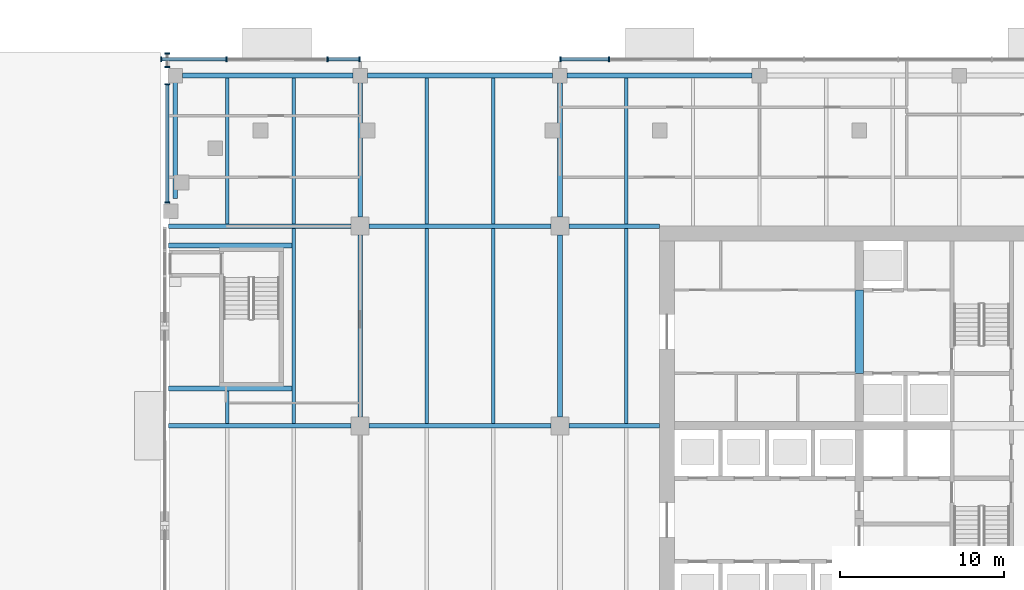
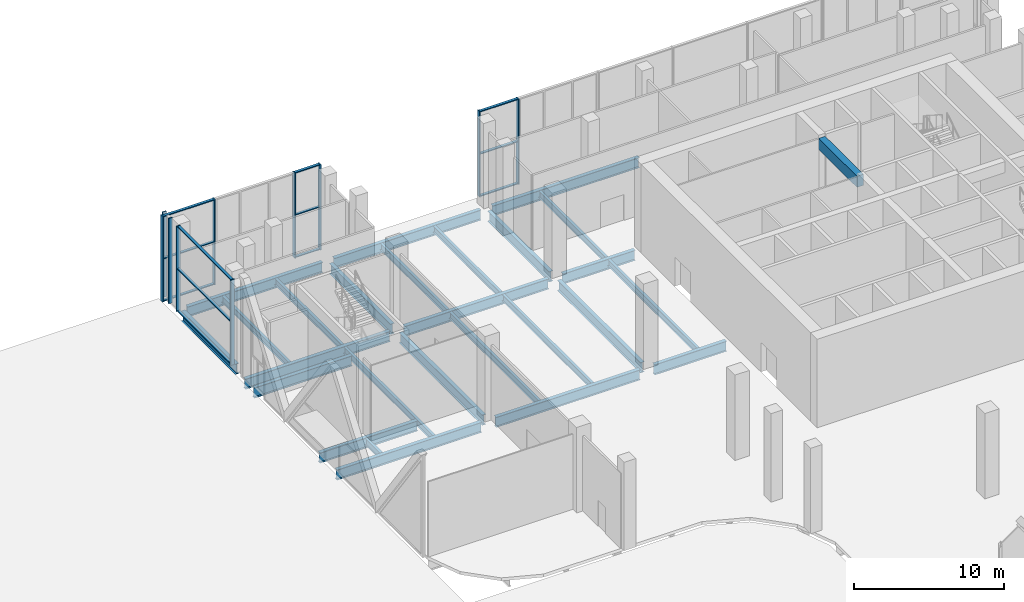
# One storey, part 3 of 36: 27 beams, 22 members, 5 elements without a shape of their own.
"""IFC4 building model written with IfcOpenShell, lengths in metres."""

from ifc_helpers import new_model, si_unit, direction, frame, origin, origin_2d, place, context, subcontext, project, spatial, rectangle, i_section, extrude, material, material_profile, profile_set, type_object, element, aggregate, save


model = new_model("IFC4")

# Units and contexts
model_context = context("Model", 3, precision=1e-05, world=origin(), true_north=direction((0.0, 1.0)))
body_context = subcontext(model_context, "Body", "Model", "MODEL_VIEW")
ifc_project = project(units=[si_unit("LENGTHUNIT", "METRE"), si_unit("AREAUNIT", "SQUARE_METRE"), si_unit("VOLUMEUNIT", "CUBIC_METRE"), si_unit("PLANEANGLEUNIT", "RADIAN"), si_unit("MASSUNIT", "GRAM", prefix="KILO")], contexts=[model_context])

# Site, building, storey
site_placement = place(None, origin())
site = spatial("IfcSite", under=ifc_project, at=site_placement, CompositionType="ELEMENT")
building_placement = place(site_placement, origin())
building = spatial("IfcBuilding", under=site, at=building_placement, Name="Tessera Gate Towers", CompositionType="ELEMENT")
storey_placement = place(building_placement, origin())
storey = spatial("IfcBuildingStorey", under=building, at=storey_placement, Name="L00", CompositionType="ELEMENT", Elevation=0.0)

# Beams
ifc_material_1 = material(Name="Concrete C70/85", Category="concrete")
ifc_material_profile_1 = material_profile(ifc_material_1, rectangle(XDim=0.5, YDim=0.89990234375, at=origin_2d()), Name="RC 500x900")
ifc_profile_set_1 = profile_set([ifc_material_profile_1], Name="Concrete C70/85")
beam_type_1 = type_object("IfcBeamType", Name="COUPLING BEAM 500x900 C70/85", PredefinedType="BEAM", material=ifc_profile_set_1)
beam_1_placement = place(storey_placement, frame((42.699951171875, 39.800048828125, 6.5), z_axis=(0.0, 1.0, 0.0), x_axis=(-1.0, 0.0, 0.0)))
element("IfcBeam", 1, at=beam_1_placement, inside=storey, type_object=beam_type_1, Name="L00 coupling beam 2", PredefinedType="BEAM", context=body_context, shape_type="SweptSolid", body=[
    extrude(rectangle(XDim=0.5, YDim=0.89990234375, at=origin_2d()), origin(), (0.0, 0.0, 1.0), 5.099853515625),
])
ifc_material_2 = material(Name="Steel 350W", Category="steel")
ifc_material_profile_2 = material_profile(ifc_material_2, i_section(OverallWidth=0.2919921875, OverallDepth=0.8349609375, WebThickness=0.013916015625, FlangeThickness=0.018798828125, at=origin_2d()), Name="W840x176")
ifc_profile_set_2 = profile_set([ifc_material_profile_2], Name="Steel 350W")
beam_type_2 = type_object("IfcBeamType", Name="FLOOR GIRDER W840x176", PredefinedType="BEAM", material=ifc_profile_set_2)
beam_2_placement = place(storey_placement, frame((0.89990234375, 50.5, -0.66748046875), z_axis=(0.0, 1.0, 0.0), x_axis=(-1.0, 0.0, 0.0)))
element("IfcBeam", 2, at=beam_2_placement, inside=storey, type_object=beam_type_2, Name="PD-GD-L00-10", PredefinedType="BEAM", context=body_context, shape_type="SweptSolid", body=[
    extrude(i_section(OverallWidth=0.2919921875, OverallDepth=0.8349609375, WebThickness=0.013916015625, FlangeThickness=0.018798828125, at=origin_2d()), origin(), (0.0, 0.0, 1.0), 7.199951171875),
])
beam_3_placement = place(storey_placement, frame((0.4990234375, 36.60009765625, -0.66748046875), z_axis=(1.0, 0.0, 0.0), x_axis=(0.0, 1.0, 0.0)))
element("IfcBeam", 3, at=beam_3_placement, inside=storey, type_object=beam_type_2, Name="PD-GD-L00-23", PredefinedType="BEAM", context=body_context, shape_type="SweptSolid", body=[
    extrude(i_section(OverallWidth=0.2919921875, OverallDepth=0.8349609375, WebThickness=0.013916015625, FlangeThickness=0.018798828125, at=origin_2d()), origin(), (0.0, 0.0, 1.0), 11.15087890625),
])
beam_4_placement = place(storey_placement, frame((12.75, 36.60009765625, -0.66748046875), z_axis=(1.0, 0.0, 0.0), x_axis=(0.0, 1.0, 0.0)))
element("IfcBeam", 4, at=beam_4_placement, inside=storey, type_object=beam_type_2, Name="PD-GD-L00-24", PredefinedType="BEAM", context=body_context, shape_type="SweptSolid", body=[
    extrude(i_section(OverallWidth=0.2919921875, OverallDepth=0.8349609375, WebThickness=0.013916015625, FlangeThickness=0.018798828125, at=origin_2d()), origin(), (0.0, 0.0, 1.0), 11.10009765625),
])
beam_5_placement = place(storey_placement, frame((24.949951171875, 36.60009765625, -0.66748046875), z_axis=(1.0, 0.0, 0.0), x_axis=(0.0, 1.0, 0.0)))
element("IfcBeam", 5, at=beam_5_placement, inside=storey, type_object=beam_type_2, Name="PD-GD-L00-25", PredefinedType="BEAM", context=body_context, shape_type="SweptSolid", body=[
    extrude(i_section(OverallWidth=0.2919921875, OverallDepth=0.8349609375, WebThickness=0.013916015625, FlangeThickness=0.018798828125, at=origin_2d()), origin(), (0.0, 0.0, 1.0), 5.551025390625),
])
beam_6_placement = place(storey_placement, frame((0.4990234375, 48.800048828125, -0.66748046875), z_axis=(1.0, 0.0, 0.0), x_axis=(0.0, 1.0, 0.0)))
element("IfcBeam", 6, at=beam_6_placement, inside=storey, type_object=beam_type_2, Name="PD-GD-L00-32", PredefinedType="BEAM", context=body_context, shape_type="SweptSolid", body=[
    extrude(i_section(OverallWidth=0.2919921875, OverallDepth=0.8349609375, WebThickness=0.013916015625, FlangeThickness=0.018798828125, at=origin_2d()), origin(), (0.0, 0.0, 1.0), 11.15087890625),
])
beam_7_placement = place(storey_placement, frame((12.75, 48.800048828125, -0.66748046875), z_axis=(1.0, 0.0, 0.0), x_axis=(0.0, 1.0, 0.0)))
element("IfcBeam", 7, at=beam_7_placement, inside=storey, type_object=beam_type_2, Name="PD-GD-L00-33", PredefinedType="BEAM", context=body_context, shape_type="SweptSolid", body=[
    extrude(i_section(OverallWidth=0.2919921875, OverallDepth=0.8349609375, WebThickness=0.013916015625, FlangeThickness=0.018798828125, at=origin_2d()), origin(), (0.0, 0.0, 1.0), 11.10009765625),
])
beam_8_placement = place(storey_placement, frame((24.949951171875, 48.800048828125, -0.66748046875), z_axis=(1.0, 0.0, 0.0), x_axis=(0.0, 1.0, 0.0)))
element("IfcBeam", 8, at=beam_8_placement, inside=storey, type_object=beam_type_2, Name="PD-GD-L00-34", PredefinedType="BEAM", context=body_context, shape_type="SweptSolid", body=[
    extrude(i_section(OverallWidth=0.2919921875, OverallDepth=0.8349609375, WebThickness=0.013916015625, FlangeThickness=0.018798828125, at=origin_2d()), origin(), (0.0, 0.0, 1.0), 5.549072265625),
])
beam_9_placement = place(storey_placement, frame((1.35009765625, 58.0, -0.66748046875), z_axis=(1.0, 0.0, 0.0), x_axis=(0.0, 1.0, 0.0)))
element("IfcBeam", 9, at=beam_9_placement, inside=storey, type_object=beam_type_2, Name="PD-GD-L00-40", PredefinedType="BEAM", context=body_context, shape_type="SweptSolid", body=[
    extrude(i_section(OverallWidth=0.2919921875, OverallDepth=0.8349609375, WebThickness=0.013916015625, FlangeThickness=0.018798828125, at=origin_2d()), origin(), (0.0, 0.0, 1.0), 10.39990234375),
])
beam_10_placement = place(storey_placement, frame((12.64990234375, 58.0, -0.66748046875), z_axis=(1.0, 0.0, 0.0), x_axis=(0.0, 1.0, 0.0)))
element("IfcBeam", 10, at=beam_10_placement, inside=storey, type_object=beam_type_2, Name="PD-GD-L00-41", PredefinedType="BEAM", context=body_context, shape_type="SweptSolid", body=[
    extrude(i_section(OverallWidth=0.2919921875, OverallDepth=0.8349609375, WebThickness=0.013916015625, FlangeThickness=0.018798828125, at=origin_2d()), origin(), (0.0, 0.0, 1.0), 11.300048828125),
])
beam_11_placement = place(storey_placement, frame((24.85009765625, 58.0, -0.66748046875), z_axis=(1.0, 0.0, 0.0), x_axis=(0.0, 1.0, 0.0)))
element("IfcBeam", 11, at=beam_11_placement, inside=storey, type_object=beam_type_2, Name="PD-GD-L00-42", PredefinedType="BEAM", context=body_context, shape_type="SweptSolid", body=[
    extrude(i_section(OverallWidth=0.2919921875, OverallDepth=0.8349609375, WebThickness=0.013916015625, FlangeThickness=0.018798828125, at=origin_2d()), origin(), (0.0, 0.0, 1.0), 11.2998046875),
])
beam_12_placement = place(storey_placement, frame((12.199951171875, 37.14990234375, -0.66748046875), z_axis=(0.0, 1.0, 0.0), x_axis=(-1.0, 0.0, 0.0)))
element("IfcBeam", 12, at=beam_12_placement, inside=storey, type_object=beam_type_2, Name="PD-GD-L00-51", PredefinedType="BEAM", context=body_context, shape_type="SweptSolid", body=[
    extrude(i_section(OverallWidth=0.2919921875, OverallDepth=0.8349609375, WebThickness=0.013916015625, FlangeThickness=0.018798828125, at=origin_2d()), origin(), (0.0, 0.0, 1.0), 11.10009765625),
])
beam_13_placement = place(storey_placement, frame((12.199951171875, 49.35009765625, -0.66748046875), z_axis=(0.0, 1.0, 0.0), x_axis=(-1.0, 0.0, 0.0)))
element("IfcBeam", 13, at=beam_13_placement, inside=storey, type_object=beam_type_2, Name="PD-GD-L00-52", PredefinedType="BEAM", context=body_context, shape_type="SweptSolid", body=[
    extrude(i_section(OverallWidth=0.2919921875, OverallDepth=0.8349609375, WebThickness=0.013916015625, FlangeThickness=0.018798828125, at=origin_2d()), origin(), (0.0, 0.0, 1.0), 8.199951171875),
])
beam_14_placement = place(storey_placement, frame((24.39990234375, 37.14990234375, -0.66748046875), z_axis=(0.0, 1.0, 0.0), x_axis=(-1.0, 0.0, 0.0)))
element("IfcBeam", 14, at=beam_14_placement, inside=storey, type_object=beam_type_2, Name="PD-GD-L00-55", PredefinedType="BEAM", context=body_context, shape_type="SweptSolid", body=[
    extrude(i_section(OverallWidth=0.2919921875, OverallDepth=0.8349609375, WebThickness=0.013916015625, FlangeThickness=0.018798828125, at=origin_2d()), origin(), (0.0, 0.0, 1.0), 11.10009765625),
])
beam_15_placement = place(storey_placement, frame((24.39990234375, 49.35009765625, -0.66748046875), z_axis=(0.0, 1.0, 0.0), x_axis=(-1.0, 0.0, 0.0)))
element("IfcBeam", 15, at=beam_15_placement, inside=storey, type_object=beam_type_2, Name="PD-GD-L00-56", PredefinedType="BEAM", context=body_context, shape_type="SweptSolid", body=[
    extrude(i_section(OverallWidth=0.2919921875, OverallDepth=0.8349609375, WebThickness=0.013916015625, FlangeThickness=0.018798828125, at=origin_2d()), origin(), (0.0, 0.0, 1.0), 8.199951171875),
])
for number, where, z_axis, x_axis, name in (
    (16, (0.4990234375, 38.8798828125, -0.66748046875), (1.0, 0.0, 0.0), (0.0, 1.0, 0.0), "PD-GD-L00-75"),
    (17, (0.4990234375, 47.6201171875, -0.66748046875), (1.0, 0.0, 0.0), (0.0, 1.0, 0.0), "PD-GD-L00-76"),
):
    element("IfcBeam", number, at=place(storey_placement, frame(where, z_axis=z_axis, x_axis=x_axis)), inside=storey, type_object=beam_type_2, Name=name, PredefinedType="BEAM", context=body_context, shape_type="SweptSolid", body=[
        extrude(i_section(OverallWidth=0.2919921875, OverallDepth=0.8349609375, WebThickness=0.013916015625, FlangeThickness=0.018798828125, at=origin_2d()), origin(), (0.0, 0.0, 1.0), 7.52978515625),
    ])
ifc_material_3 = material(Name="Steel 350W", Category="steel")
ifc_material_profile_3 = material_profile(ifc_material_3, i_section(OverallWidth=0.208984375, OverallDepth=0.528076171875, WebThickness=0.009521484375, FlangeThickness=0.01318359375, at=origin_2d()), Name="W530x82")
ifc_profile_set_3 = profile_set([ifc_material_profile_3], Name="Steel 350W")
beam_type_3 = type_object("IfcBeamType", Name="FLOOR SECONDARY W530x82", PredefinedType="BEAM", material=ifc_profile_set_3)
beam_16_placement = place(storey_placement, frame((4.066650390625, 36.74609375, -0.513916015625), z_axis=(0.0, 1.0, 0.0), x_axis=(-1.0, 0.0, 0.0)))
element("IfcBeam", 18, at=beam_16_placement, inside=storey, type_object=beam_type_3, Name="PD-BM-L00-87", PredefinedType="BEAM", context=body_context, shape_type="SweptSolid", body=[
    extrude(i_section(OverallWidth=0.208984375, OverallDepth=0.528076171875, WebThickness=0.009521484375, FlangeThickness=0.01318359375, at=origin_2d()), origin(), (0.0, 0.0, 1.0), 1.98779296875),
])
beam_17_placement = place(storey_placement, frame((4.066650390625, 48.946044921875, -0.513916015625), z_axis=(0.0, 1.0, 0.0), x_axis=(-1.0, 0.0, 0.0)))
element("IfcBeam", 19, at=beam_17_placement, inside=storey, type_object=beam_type_3, Name="PD-BM-L00-88", PredefinedType="BEAM", context=body_context, shape_type="SweptSolid", body=[
    extrude(i_section(OverallWidth=0.208984375, OverallDepth=0.528076171875, WebThickness=0.009521484375, FlangeThickness=0.01318359375, at=origin_2d()), origin(), (0.0, 0.0, 1.0), 8.907958984375),
])
beam_18_placement = place(storey_placement, frame((8.13330078125, 36.74609375, -0.513916015625), z_axis=(0.0, 1.0, 0.0), x_axis=(-1.0, 0.0, 0.0)))
element("IfcBeam", 20, at=beam_18_placement, inside=storey, type_object=beam_type_3, Name="PD-BM-L00-91", PredefinedType="BEAM", context=body_context, shape_type="SweptSolid", body=[
    extrude(i_section(OverallWidth=0.208984375, OverallDepth=0.528076171875, WebThickness=0.009521484375, FlangeThickness=0.01318359375, at=origin_2d()), origin(), (0.0, 0.0, 1.0), 11.907958984375),
])
beam_19_placement = place(storey_placement, frame((8.13330078125, 48.946044921875, -0.513916015625), z_axis=(0.0, 1.0, 0.0), x_axis=(-1.0, 0.0, 0.0)))
element("IfcBeam", 21, at=beam_19_placement, inside=storey, type_object=beam_type_3, Name="PD-BM-L00-92", PredefinedType="BEAM", context=body_context, shape_type="SweptSolid", body=[
    extrude(i_section(OverallWidth=0.208984375, OverallDepth=0.528076171875, WebThickness=0.009521484375, FlangeThickness=0.01318359375, at=origin_2d()), origin(), (0.0, 0.0, 1.0), 8.907958984375),
])
beam_20_placement = place(storey_placement, frame((16.2666015625, 36.74609375, -0.513916015625), z_axis=(0.0, 1.0, 0.0), x_axis=(-1.0, 0.0, 0.0)))
element("IfcBeam", 22, at=beam_20_placement, inside=storey, type_object=beam_type_3, Name="PD-BM-L00-95", PredefinedType="BEAM", context=body_context, shape_type="SweptSolid", body=[
    extrude(i_section(OverallWidth=0.208984375, OverallDepth=0.528076171875, WebThickness=0.009521484375, FlangeThickness=0.01318359375, at=origin_2d()), origin(), (0.0, 0.0, 1.0), 11.907958984375),
])
beam_21_placement = place(storey_placement, frame((16.2666015625, 48.946044921875, -0.513916015625), z_axis=(0.0, 1.0, 0.0), x_axis=(-1.0, 0.0, 0.0)))
element("IfcBeam", 23, at=beam_21_placement, inside=storey, type_object=beam_type_3, Name="PD-BM-L00-96", PredefinedType="BEAM", context=body_context, shape_type="SweptSolid", body=[
    extrude(i_section(OverallWidth=0.208984375, OverallDepth=0.528076171875, WebThickness=0.009521484375, FlangeThickness=0.01318359375, at=origin_2d()), origin(), (0.0, 0.0, 1.0), 8.907958984375),
])
beam_22_placement = place(storey_placement, frame((20.333251953125, 36.74609375, -0.513916015625), z_axis=(0.0, 1.0, 0.0), x_axis=(-1.0, 0.0, 0.0)))
element("IfcBeam", 24, at=beam_22_placement, inside=storey, type_object=beam_type_3, Name="PD-BM-L00-99", PredefinedType="BEAM", context=body_context, shape_type="SweptSolid", body=[
    extrude(i_section(OverallWidth=0.208984375, OverallDepth=0.528076171875, WebThickness=0.009521484375, FlangeThickness=0.01318359375, at=origin_2d()), origin(), (0.0, 0.0, 1.0), 11.907958984375),
])
beam_23_placement = place(storey_placement, frame((20.333251953125, 48.946044921875, -0.513916015625), z_axis=(0.0, 1.0, 0.0), x_axis=(-1.0, 0.0, 0.0)))
element("IfcBeam", 25, at=beam_23_placement, inside=storey, type_object=beam_type_3, Name="PD-BM-L00-100", PredefinedType="BEAM", context=body_context, shape_type="SweptSolid", body=[
    extrude(i_section(OverallWidth=0.208984375, OverallDepth=0.528076171875, WebThickness=0.009521484375, FlangeThickness=0.01318359375, at=origin_2d()), origin(), (0.0, 0.0, 1.0), 8.907958984375),
])
beam_24_placement = place(storey_placement, frame((28.466796875, 36.74609375, -0.513916015625), z_axis=(0.0, 1.0, 0.0), x_axis=(-1.0, 0.0, 0.0)))
element("IfcBeam", 26, at=beam_24_placement, inside=storey, type_object=beam_type_3, Name="PD-BM-L00-104", PredefinedType="BEAM", context=body_context, shape_type="SweptSolid", body=[
    extrude(i_section(OverallWidth=0.208984375, OverallDepth=0.528076171875, WebThickness=0.009521484375, FlangeThickness=0.01318359375, at=origin_2d()), origin(), (0.0, 0.0, 1.0), 11.907958984375),
])
beam_25_placement = place(storey_placement, frame((28.466796875, 48.946044921875, -0.513916015625), z_axis=(0.0, 1.0, 0.0), x_axis=(-1.0, 0.0, 0.0)))
element("IfcBeam", 27, at=beam_25_placement, inside=storey, type_object=beam_type_3, Name="PD-BM-L00-105", PredefinedType="BEAM", context=body_context, shape_type="SweptSolid", body=[
    extrude(i_section(OverallWidth=0.208984375, OverallDepth=0.528076171875, WebThickness=0.009521484375, FlangeThickness=0.01318359375, at=origin_2d()), origin(), (0.0, 0.0, 1.0), 8.907958984375),
])

# Curtain wall, members
ifc_material_4 = material(Name="Aluminium frame", Category="aluminium")
curtain_wall_type = type_object("IfcCurtainWallType", Name="CW-S6 ground floor glazing", PredefinedType="NOTDEFINED", material=ifc_material_4)
curtain_wall_1_placement = place(storey_placement, origin())
curtain_wall_1 = element("IfcCurtainWall", 28, at=curtain_wall_1_placement, inside=storey, type_object=curtain_wall_type, Name="Curtain wall ground floor glazing 0206", PredefinedType="NOTDEFINED")
ifc_material_5 = material(Name="Aluminium frame", Category="aluminium")
ifc_material_profile_4 = material_profile(ifc_material_5, rectangle(XDim=0.080078125, YDim=0.300048828125, at=origin_2d()), Name="AL 80x300")
ifc_profile_set_4 = profile_set([ifc_material_profile_4], Name="Aluminium frame")
member_type_1 = type_object("IfcMemberType", Name="MU-S6 mullion 80x300", PredefinedType="MULLION", material=ifc_profile_set_4)
member_1_placement = place(storey_placement, frame((27.409912109375, 59.0, 0.0), z_axis=(0.0, 0.0, 1.0), x_axis=(-1.0, 0.0, 0.0)))
member_1 = element("IfcMember", 29, at=member_1_placement, type_object=member_type_1, Name="PD-CW6-0206 mullion 1", PredefinedType="MULLION", context=body_context, shape_type="SweptSolid", body=[
    extrude(rectangle(XDim=0.080078125, YDim=0.300048828125, at=origin_2d()), origin(), (0.0, 0.0, 1.0), 6.949951171875),
])
member_2_placement = place(storey_placement, frame((24.43994140625, 59.0, 0.0), z_axis=(0.0, 0.0, 1.0), x_axis=(-1.0, 0.0, 0.0)))
member_2 = element("IfcMember", 30, at=member_2_placement, type_object=member_type_1, Name="PD-CW6-0206 mullion 2", PredefinedType="MULLION", context=body_context, shape_type="SweptSolid", body=[
    extrude(rectangle(XDim=0.080078125, YDim=0.300048828125, at=origin_2d()), origin(), (0.0, 0.0, 1.0), 6.949951171875),
])

curtain_wall_2_placement = place(storey_placement, origin())
curtain_wall_2 = element("IfcCurtainWall", 31, at=curtain_wall_2_placement, inside=storey, type_object=curtain_wall_type, Name="Curtain wall ground floor glazing 0207", PredefinedType="NOTDEFINED")
member_3_placement = place(storey_placement, frame((12.159912109375, 59.0, 0.0), z_axis=(0.0, 0.0, 1.0), x_axis=(-1.0, 0.0, 0.0)))
member_3 = element("IfcMember", 32, at=member_3_placement, type_object=member_type_1, Name="PD-CW6-0207 mullion 1", PredefinedType="MULLION", context=body_context, shape_type="SweptSolid", body=[
    extrude(rectangle(XDim=0.080078125, YDim=0.300048828125, at=origin_2d()), origin(), (0.0, 0.0, 1.0), 6.949951171875),
])
member_4_placement = place(storey_placement, frame((10.206787109375, 59.0, 0.0), z_axis=(0.0, 0.0, 1.0), x_axis=(-1.0, 0.0, 0.0)))
member_4 = element("IfcMember", 33, at=member_4_placement, type_object=member_type_1, Name="PD-CW6-0207 mullion 2", PredefinedType="MULLION", context=body_context, shape_type="SweptSolid", body=[
    extrude(rectangle(XDim=0.080078125, YDim=0.300048828125, at=origin_2d()), origin(), (0.0, 0.0, 1.0), 6.949951171875),
])

curtain_wall_3_placement = place(storey_placement, origin())
curtain_wall_3 = element("IfcCurtainWall", 34, at=curtain_wall_3_placement, inside=storey, type_object=curtain_wall_type, Name="Curtain wall ground floor glazing 0208", PredefinedType="NOTDEFINED")
member_5_placement = place(storey_placement, frame((4.026611328125, 59.0, 0.0), z_axis=(0.0, 0.0, 1.0), x_axis=(-1.0, 0.0, 0.0)))
member_5 = element("IfcMember", 35, at=member_5_placement, type_object=member_type_1, Name="PD-CW6-0208 mullion 1", PredefinedType="MULLION", context=body_context, shape_type="SweptSolid", body=[
    extrude(rectangle(XDim=0.080078125, YDim=0.300048828125, at=origin_2d()), origin(), (0.0, 0.0, 1.0), 6.949951171875),
])
member_6_placement = place(storey_placement, frame((0.0400390625, 59.0, 0.0), z_axis=(0.0, 0.0, 1.0), x_axis=(-1.0, 0.0, 0.0)))
member_6 = element("IfcMember", 36, at=member_6_placement, type_object=member_type_1, Name="PD-CW6-0208 mullion 2", PredefinedType="MULLION", context=body_context, shape_type="SweptSolid", body=[
    extrude(rectangle(XDim=0.080078125, YDim=0.300048828125, at=origin_2d()), origin(), (0.0, 0.0, 1.0), 6.949951171875),
])

curtain_wall_4_placement = place(storey_placement, origin())
curtain_wall_4 = element("IfcCurtainWall", 37, at=curtain_wall_4_placement, inside=storey, type_object=curtain_wall_type, Name="Curtain wall ground floor glazing 0212", PredefinedType="NOTDEFINED")
member_7_placement = place(storey_placement, frame((0.39990234375, 59.360107421875, 0.0), z_axis=(0.0, 0.0, 1.0), x_axis=(0.0, -1.0, 0.0)))
member_7 = element("IfcMember", 38, at=member_7_placement, type_object=member_type_1, Name="PD-CW6-0212 mullion 1", PredefinedType="MULLION", context=body_context, shape_type="SweptSolid", body=[
    extrude(rectangle(XDim=0.080078125, YDim=0.300048828125, at=origin_2d()), origin(), (0.0, 0.0, 1.0), 6.949951171875),
])
member_8_placement = place(storey_placement, frame((0.39990234375, 58.530029296875, 0.0), z_axis=(0.0, 0.0, 1.0), x_axis=(0.0, -1.0, 0.0)))
member_8 = element("IfcMember", 39, at=member_8_placement, type_object=member_type_1, Name="PD-CW6-0212 mullion 2", PredefinedType="MULLION", context=body_context, shape_type="SweptSolid", body=[
    extrude(rectangle(XDim=0.080078125, YDim=0.300048828125, at=origin_2d()), origin(), (0.0, 0.0, 1.0), 6.949951171875),
])
aggregate(curtain_wall_4, [member_7, member_8])

curtain_wall_5_placement = place(storey_placement, origin())
curtain_wall_5 = element("IfcCurtainWall", 40, at=curtain_wall_5_placement, inside=storey, type_object=curtain_wall_type, Name="Curtain wall ground floor glazing 0213", PredefinedType="NOTDEFINED")
member_9_placement = place(storey_placement, frame((0.39990234375, 57.469970703125, 0.0), z_axis=(0.0, 0.0, 1.0), x_axis=(0.0, -1.0, 0.0)))
member_9 = element("IfcMember", 41, at=member_9_placement, type_object=member_type_1, Name="PD-CW6-0213 mullion 1", PredefinedType="MULLION", context=body_context, shape_type="SweptSolid", body=[
    extrude(rectangle(XDim=0.080078125, YDim=0.300048828125, at=origin_2d()), origin(), (0.0, 0.0, 1.0), 6.949951171875),
])
member_10_placement = place(storey_placement, frame((0.39990234375, 50.25, 0.0), z_axis=(0.0, 0.0, 1.0), x_axis=(0.0, -1.0, 0.0)))
member_10 = element("IfcMember", 42, at=member_10_placement, type_object=member_type_1, Name="PD-CW6-0213 mullion 2", PredefinedType="MULLION", context=body_context, shape_type="SweptSolid", body=[
    extrude(rectangle(XDim=0.080078125, YDim=0.300048828125, at=origin_2d()), origin(), (0.0, 0.0, 1.0), 6.949951171875),
])

# Member
ifc_material_6 = material(Name="Aluminium frame", Category="aluminium")
ifc_material_profile_5 = material_profile(ifc_material_6, rectangle(XDim=0.199951171875, YDim=0.080078125, at=origin_2d()), Name="AL 80x200")
ifc_profile_set_5 = profile_set([ifc_material_profile_5], Name="Aluminium frame")
member_type_2 = type_object("IfcMemberType", Name="TR-S6 transom 80x200", PredefinedType="USERDEFINED", material=ifc_profile_set_5)
member_11_placement = place(storey_placement, frame((27.3701171875, 59.0, 0.0400390625), z_axis=(-1.0, 0.0, 0.0), x_axis=(0.0, -1.0, 0.0)))
member_11 = element("IfcMember", 43, at=member_11_placement, type_object=member_type_2, Name="PD-CW6-0206 transom 1.1", ObjectType="TRANSOM", PredefinedType="USERDEFINED", context=body_context, shape_type="SweptSolid", body=[
    extrude(rectangle(XDim=0.199951171875, YDim=0.080078125, at=origin_2d()), origin(), (0.0, 0.0, 1.0), 2.89013671875),
])

member_12_placement = place(storey_placement, frame((27.3701171875, 59.0, 3.47509765625), z_axis=(-1.0, 0.0, 0.0), x_axis=(0.0, -1.0, 0.0)))
member_12 = element("IfcMember", 44, at=member_12_placement, type_object=member_type_2, Name="PD-CW6-0206 transom 1.2", ObjectType="TRANSOM", PredefinedType="USERDEFINED", context=body_context, shape_type="SweptSolid", body=[
    extrude(rectangle(XDim=0.199951171875, YDim=0.080078125, at=origin_2d()), origin(), (0.0, 0.0, 1.0), 2.89013671875),
])

member_13_placement = place(storey_placement, frame((27.3701171875, 59.0, 6.909912109375), z_axis=(-1.0, 0.0, 0.0), x_axis=(0.0, -1.0, 0.0)))
member_13 = element("IfcMember", 45, at=member_13_placement, type_object=member_type_2, Name="PD-CW6-0206 transom 1.3", ObjectType="TRANSOM", PredefinedType="USERDEFINED", context=body_context, shape_type="SweptSolid", body=[
    extrude(rectangle(XDim=0.199951171875, YDim=0.080078125, at=origin_2d()), origin(), (0.0, 0.0, 1.0), 2.89013671875),
])

aggregate(curtain_wall_1, [member_1, member_2, member_11, member_12, member_13])

member_14_placement = place(storey_placement, frame((12.1201171875, 59.0, 0.0400390625), z_axis=(-1.0, 0.0, 0.0), x_axis=(0.0, -1.0, 0.0)))
member_14 = element("IfcMember", 46, at=member_14_placement, type_object=member_type_2, Name="PD-CW6-0207 transom 1.1", ObjectType="TRANSOM", PredefinedType="USERDEFINED", context=body_context, shape_type="SweptSolid", body=[
    extrude(rectangle(XDim=0.199951171875, YDim=0.080078125, at=origin_2d()), origin(), (0.0, 0.0, 1.0), 1.87353515625),
])

member_15_placement = place(storey_placement, frame((12.1201171875, 59.0, 3.47509765625), z_axis=(-1.0, 0.0, 0.0), x_axis=(0.0, -1.0, 0.0)))
member_15 = element("IfcMember", 47, at=member_15_placement, type_object=member_type_2, Name="PD-CW6-0207 transom 1.2", ObjectType="TRANSOM", PredefinedType="USERDEFINED", context=body_context, shape_type="SweptSolid", body=[
    extrude(rectangle(XDim=0.199951171875, YDim=0.080078125, at=origin_2d()), origin(), (0.0, 0.0, 1.0), 1.87353515625),
])

member_16_placement = place(storey_placement, frame((12.1201171875, 59.0, 6.909912109375), z_axis=(-1.0, 0.0, 0.0), x_axis=(0.0, -1.0, 0.0)))
member_16 = element("IfcMember", 48, at=member_16_placement, type_object=member_type_2, Name="PD-CW6-0207 transom 1.3", ObjectType="TRANSOM", PredefinedType="USERDEFINED", context=body_context, shape_type="SweptSolid", body=[
    extrude(rectangle(XDim=0.199951171875, YDim=0.080078125, at=origin_2d()), origin(), (0.0, 0.0, 1.0), 1.87353515625),
])

aggregate(curtain_wall_2, [member_3, member_4, member_14, member_15, member_16])

member_17_placement = place(storey_placement, frame((3.986572265625, 59.0, 0.0400390625), z_axis=(-1.0, 0.0, 0.0), x_axis=(0.0, -1.0, 0.0)))
member_17 = element("IfcMember", 49, at=member_17_placement, type_object=member_type_2, Name="PD-CW6-0208 transom 1.1", ObjectType="TRANSOM", PredefinedType="USERDEFINED", context=body_context, shape_type="SweptSolid", body=[
    extrude(rectangle(XDim=0.199951171875, YDim=0.080078125, at=origin_2d()), origin(), (0.0, 0.0, 1.0), 3.906494140625),
])

member_18_placement = place(storey_placement, frame((3.986572265625, 59.0, 3.47509765625), z_axis=(-1.0, 0.0, 0.0), x_axis=(0.0, -1.0, 0.0)))
member_18 = element("IfcMember", 50, at=member_18_placement, type_object=member_type_2, Name="PD-CW6-0208 transom 1.2", ObjectType="TRANSOM", PredefinedType="USERDEFINED", context=body_context, shape_type="SweptSolid", body=[
    extrude(rectangle(XDim=0.199951171875, YDim=0.080078125, at=origin_2d()), origin(), (0.0, 0.0, 1.0), 3.906494140625),
])

member_19_placement = place(storey_placement, frame((3.986572265625, 59.0, 6.909912109375), z_axis=(-1.0, 0.0, 0.0), x_axis=(0.0, -1.0, 0.0)))
member_19 = element("IfcMember", 51, at=member_19_placement, type_object=member_type_2, Name="PD-CW6-0208 transom 1.3", ObjectType="TRANSOM", PredefinedType="USERDEFINED", context=body_context, shape_type="SweptSolid", body=[
    extrude(rectangle(XDim=0.199951171875, YDim=0.080078125, at=origin_2d()), origin(), (0.0, 0.0, 1.0), 3.906494140625),
])

aggregate(curtain_wall_3, [member_5, member_6, member_17, member_18, member_19])

member_20_placement = place(storey_placement, frame((0.39990234375, 57.429931640625, 0.0400390625), z_axis=(0.0, -1.0, 0.0), x_axis=(1.0, 0.0, 0.0)))
member_20 = element("IfcMember", 52, at=member_20_placement, type_object=member_type_2, Name="PD-CW6-0213 transom 1.1", ObjectType="TRANSOM", PredefinedType="USERDEFINED", context=body_context, shape_type="SweptSolid", body=[
    extrude(rectangle(XDim=0.199951171875, YDim=0.080078125, at=origin_2d()), origin(), (0.0, 0.0, 1.0), 7.139892578125),
])

member_21_placement = place(storey_placement, frame((0.39990234375, 57.429931640625, 3.47509765625), z_axis=(0.0, -1.0, 0.0), x_axis=(1.0, 0.0, 0.0)))
member_21 = element("IfcMember", 53, at=member_21_placement, type_object=member_type_2, Name="PD-CW6-0213 transom 1.2", ObjectType="TRANSOM", PredefinedType="USERDEFINED", context=body_context, shape_type="SweptSolid", body=[
    extrude(rectangle(XDim=0.199951171875, YDim=0.080078125, at=origin_2d()), origin(), (0.0, 0.0, 1.0), 7.139892578125),
])

member_22_placement = place(storey_placement, frame((0.39990234375, 57.429931640625, 6.909912109375), z_axis=(0.0, -1.0, 0.0), x_axis=(1.0, 0.0, 0.0)))
member_22 = element("IfcMember", 54, at=member_22_placement, type_object=member_type_2, Name="PD-CW6-0213 transom 1.3", ObjectType="TRANSOM", PredefinedType="USERDEFINED", context=body_context, shape_type="SweptSolid", body=[
    extrude(rectangle(XDim=0.199951171875, YDim=0.080078125, at=origin_2d()), origin(), (0.0, 0.0, 1.0), 7.139892578125),
])

aggregate(curtain_wall_5, [member_9, member_10, member_20, member_21, member_22])

save(model, "model.ifc")
